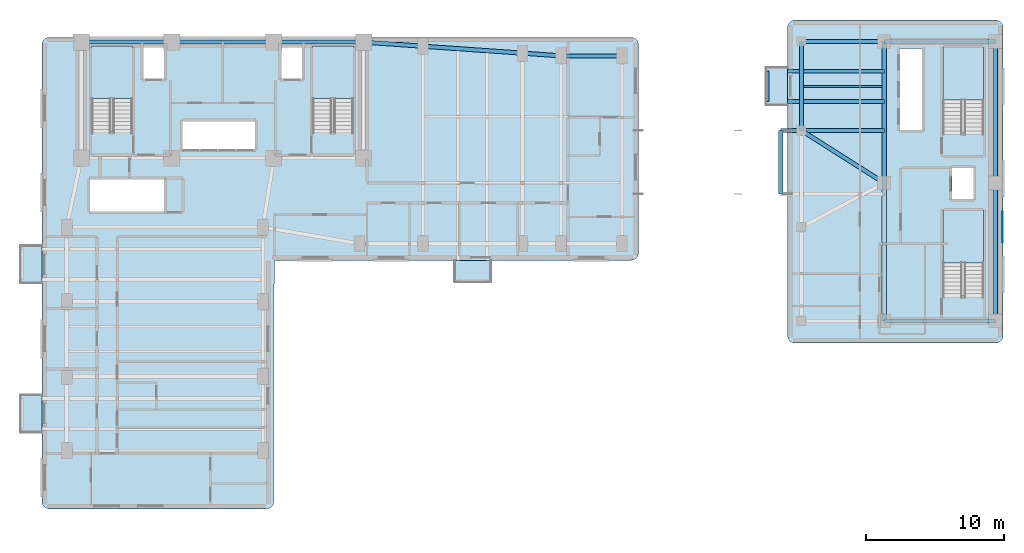
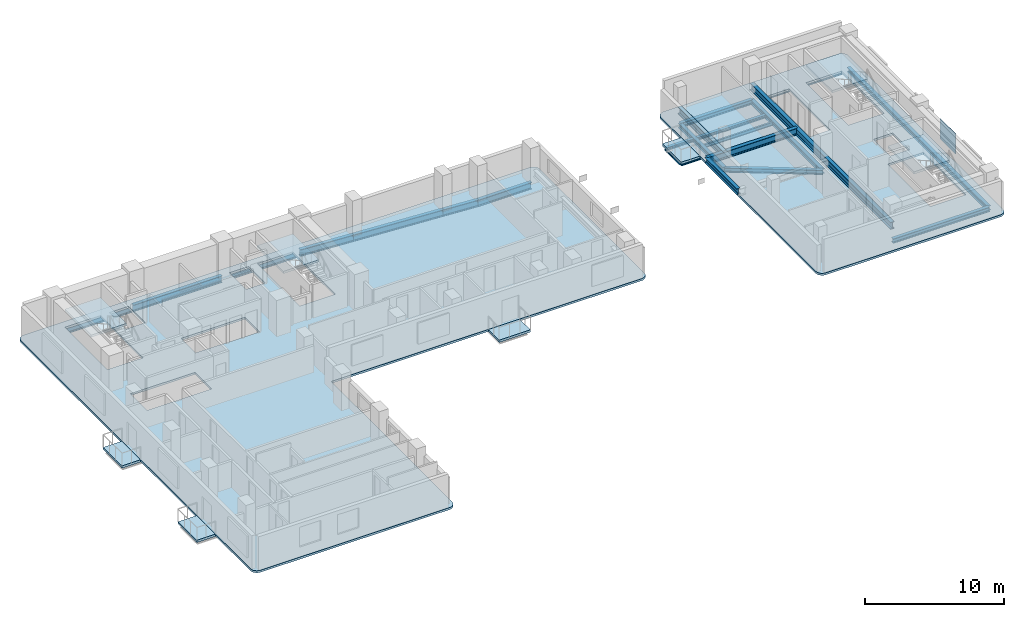
# One storey, part 2 of 11: 23 beams, 10 slabs, 1 plate, 4 elements without a shape of their own.
"""IFC4 building model written with IfcOpenShell, lengths in metres."""

import ifcopenshell
import ifcopenshell.guid

model = None  # the IFC model being written
_history = None  # IfcOwnerHistory: only IFC2X3 demands one
_inside = {}  # id of a spatial element -> (the spatial element, [elements in it])
_under = {}  # id of a project, library or spatial element -> (it, [spatial elements below it])
_declared = {}  # id of a project -> (the project, [libraries it declares])
_typed = {}  # id of a type object -> (the type object, [elements of that type])
_made_of = {}  # id of a material, layer set ... -> (it, [elements and type objects made of it])


def new_model(schema):
    """Start an empty IFC model of exactly this schema.

    Asked for "IFC4X3", IfcOpenShell would pick the latest addendum, in which some entities
    have other attributes; the version numbers below select the first issue.
    IFC2X3 requires an IfcOwnerHistory on every rooted entity: one is made here for all.
    """
    global model, _history
    if schema == "IFC4X3":
        model = ifcopenshell.file(schema_version=(4, 3, 0, 0))
    else:
        model = ifcopenshell.file(schema=schema)
    _inside.clear()
    _under.clear()
    _declared.clear()
    _typed.clear()
    _made_of.clear()
    _history = None
    if model.schema == "IFC2X3":
        org = make("IfcOrganization", Name="unknown")
        user = make(
            "IfcPersonAndOrganization",
            ThePerson=make("IfcPerson", FamilyName="unknown"),
            TheOrganization=org,
        )
        app = make(
            "IfcApplication",
            ApplicationDeveloper=org,
            Version="unknown",
            ApplicationFullName="unknown",
            ApplicationIdentifier="unknown",
        )
        _history = make(
            "IfcOwnerHistory",
            OwningUser=user,
            OwningApplication=app,
            ChangeAction="ADDED",
            CreationDate=0,
        )
    return model


def make(cls, **values):
    """One entity of the class cls with the attributes given. An attribute that is None is left unset."""
    return model.create_entity(
        cls, **{name: value for name, value in values.items() if value is not None}
    )


def rooted(cls, **values):
    """An entity with a GlobalId (a new one), such as an element, a storey or a relation."""
    return make(cls, GlobalId=ifcopenshell.guid.new(), OwnerHistory=_history, **values)


def si_unit(unit_type, name, prefix=None):
    """IfcSIUnit, for example si_unit("LENGTHUNIT", "METRE", prefix="MILLI")."""
    return make("IfcSIUnit", UnitType=unit_type, Prefix=prefix, Name=name)


def assignment(units):
    """IfcUnitAssignment: the units of a project."""
    return None if units is None else make("IfcUnitAssignment", Units=units)


def point(xyz):
    """IfcCartesianPoint."""
    return None if xyz is None else make("IfcCartesianPoint", Coordinates=xyz)


def direction(xyz):
    """IfcDirection."""
    return None if xyz is None else make("IfcDirection", DirectionRatios=xyz)


def frame(location, z_axis=None, x_axis=None):
    """IfcAxis2Placement3D, a coordinate frame: its origin and axes. An axis left out is left unset."""
    return make(
        "IfcAxis2Placement3D",
        Location=point(location),
        Axis=direction(z_axis),
        RefDirection=direction(x_axis),
    )


def frame_2d(location, x_axis=None):
    """IfcAxis2Placement2D, a coordinate frame in the plane: its origin and x axis."""
    return make(
        "IfcAxis2Placement2D", Location=point(location), RefDirection=direction(x_axis)
    )


def origin():
    """The frame at (0, 0, 0) with its axes left unset."""
    return frame((0.0, 0.0, 0.0))


def origin_2d():
    """The frame at (0, 0) in the plane with its x axis left unset."""
    return frame_2d((0.0, 0.0))


def place(relative_to, where):
    """IfcLocalPlacement: puts the frame where relative to a parent placement (None: the world)."""
    return make(
        "IfcLocalPlacement", PlacementRelTo=relative_to, RelativePlacement=where
    )


def context(
    kind, dimensions, precision=None, world=None, true_north=None, identifier=None
):
    """IfcGeometricRepresentationContext, for example the 3D "Model" context."""
    return make(
        "IfcGeometricRepresentationContext",
        ContextIdentifier=identifier,
        ContextType=kind,
        CoordinateSpaceDimension=dimensions,
        Precision=precision,
        WorldCoordinateSystem=world,
        TrueNorth=true_north,
    )


def subcontext(parent, identifier, kind, view, scale=None):
    """IfcGeometricRepresentationSubContext, for example "Body" below "Model"."""
    return make(
        "IfcGeometricRepresentationSubContext",
        ContextIdentifier=identifier,
        ContextType=kind,
        ParentContext=parent,
        TargetScale=scale,
        TargetView=view,
    )


def project(units=None, contexts=None):
    """IfcProject with its units and contexts."""
    return rooted(
        "IfcProject",
        Name="project",
        RepresentationContexts=contexts,
        UnitsInContext=assignment(units),
    )


def spatial(cls, under=None, at=None, **own):
    """A site, building, storey or space (cls), placed at a placement, below another one or the project."""
    s = rooted(cls, ObjectPlacement=at, **own)
    if under is not None:
        _under.setdefault(under.id(), (under, []))[1].append(s)
    return s


def polyline(points):
    """IfcPolyline through the points."""
    return make("IfcPolyline", Points=[point(p) for p in points])


def profile(cls, at=None, kind="AREA", **sizes):
    """A parametric profile (cls). Its sizes go by their IFC names, for example OverallWidth=200.0."""
    return make(cls, ProfileType=kind, Position=at, **sizes)


def rectangle(**sizes):
    """IfcRectangleProfileDef."""
    return profile("IfcRectangleProfileDef", **sizes)


def i_section(**sizes):
    """IfcIShapeProfileDef."""
    return profile("IfcIShapeProfileDef", **sizes)


def outline(outer, holes=None, kind="AREA"):
    """IfcArbitraryClosedProfileDef: a profile drawn as a closed curve; with holes, ...WithVoids."""
    if holes is None:
        return make("IfcArbitraryClosedProfileDef", ProfileType=kind, OuterCurve=outer)
    return make(
        "IfcArbitraryProfileDefWithVoids",
        ProfileType=kind,
        OuterCurve=outer,
        InnerCurves=holes,
    )


def extrude(swept, where, along, depth):
    """IfcExtrudedAreaSolid: the profile swept, set in the frame where, extruded along a direction by depth."""
    return make(
        "IfcExtrudedAreaSolid",
        SweptArea=swept,
        Position=where,
        ExtrudedDirection=direction(along),
        Depth=depth,
    )


def shape(context_of_items, identifier, shape_type, items):
    """IfcShapeRepresentation: the items that make up one representation, for example the "Body"."""
    return make(
        "IfcShapeRepresentation",
        ContextOfItems=context_of_items,
        RepresentationIdentifier=identifier,
        RepresentationType=shape_type,
        Items=items,
    )


def material(Name=None, Category=None):
    """IfcMaterial."""
    return make("IfcMaterial", Name=Name, Category=Category)


def layer(
    of_material, thickness, ventilated=None, Name=None, Category=None, Priority=None
):
    """IfcMaterialLayer: one layer of a wall or slab, of a material (None: an air gap)."""
    return make(
        "IfcMaterialLayer",
        Material=of_material,
        LayerThickness=thickness,
        IsVentilated=ventilated,
        Name=Name,
        Category=Category,
        Priority=Priority,
    )


def layer_set(layers, Name=None):
    """IfcMaterialLayerSet."""
    return make("IfcMaterialLayerSet", MaterialLayers=layers, LayerSetName=Name)


def material_profile(
    of_material, cross_section, Name=None, Category=None, Priority=None
):
    """IfcMaterialProfile: a cross section and its material."""
    return make(
        "IfcMaterialProfile",
        Name=Name,
        Material=of_material,
        Profile=cross_section,
        Priority=Priority,
        Category=Category,
    )


def profile_set(profiles, Name=None, composite=None):
    """IfcMaterialProfileSet."""
    return make(
        "IfcMaterialProfileSet",
        Name=Name,
        MaterialProfiles=profiles,
        CompositeProfile=composite,
    )


def made_of(thing, what):
    """Note that an element or type object is made of a material, layer set ...; save() writes the relation."""
    if what is not None:
        _made_of.setdefault(what.id(), (what, []))[1].append(thing)
    return thing


def type_object(cls, material=None, **own):
    """A type object (cls), such as IfcWallType, which elements share."""
    return made_of(rooted(cls, **own), material)


def element(
    cls,
    number,
    at=None,
    inside=None,
    cuts=None,
    type_object=None,
    material=None,
    context=None,
    identifier="Body",
    shape_type=None,
    held_by="IfcProductDefinitionShape",
    body=None,
    shapes=None,
    **own,
):
    """One element of the class cls, such as IfcWall. Its Tag is "e" and its number.

    at: its placement. inside: the storey or other place that contains it. cuts: it is an
    opening in that element (IfcRelVoidsElement). A single representation is given by context,
    identifier, shape_type and body (its items); several are given by shapes. held_by: the class
    of the entity that holds the representations. save() writes the other relations.
    """
    e = rooted(cls, Tag="e%d" % number, ObjectPlacement=at, **own)
    if body is not None:
        shapes = [shape(context, identifier, shape_type, body)]
    if shapes is not None:
        e.Representation = make(held_by, Representations=shapes)
    if inside is not None:
        _inside.setdefault(inside.id(), (inside, []))[1].append(e)
    if cuts is not None:
        rooted(
            "IfcRelVoidsElement", RelatingBuildingElement=cuts, RelatedOpeningElement=e
        )
    if type_object is not None:
        _typed.setdefault(type_object.id(), (type_object, []))[1].append(e)
    return made_of(e, material)


def aggregate(whole, parts):
    """IfcRelAggregates: a whole, such as a stair, and the parts it consists of."""
    return rooted("IfcRelAggregates", RelatingObject=whole, RelatedObjects=parts)


def save(model, path):
    """Write the relations noted so far, then the file.

    IfcRelAggregates (storeys below a building ...), IfcRelContainedInSpatialStructure (elements
    in a storey), IfcRelDefinesByType, IfcRelAssociatesMaterial and IfcRelDeclares: one each for
    every whole, place, type object, material and project.
    """
    for whole, parts in _under.values():
        aggregate(whole, parts)
    for where, things in _inside.values():
        rooted(
            "IfcRelContainedInSpatialStructure",
            RelatedElements=things,
            RelatingStructure=where,
        )
    for kind, things in _typed.values():
        rooted("IfcRelDefinesByType", RelatedObjects=things, RelatingType=kind)
    for what, things in _made_of.values():
        rooted("IfcRelAssociatesMaterial", RelatedObjects=things, RelatingMaterial=what)
    for by, libraries in _declared.values():
        rooted("IfcRelDeclares", RelatingContext=by, RelatedDefinitions=libraries)
    model.write(path)


model = new_model("IFC4")

# Units and contexts
model_context = context("Model", 3, precision=1e-05, world=origin(), true_north=direction((0.0, 1.0)))
body_context = subcontext(model_context, "Body", "Model", "MODEL_VIEW")
ifc_project = project(units=[si_unit("LENGTHUNIT", "METRE"), si_unit("AREAUNIT", "SQUARE_METRE"), si_unit("VOLUMEUNIT", "CUBIC_METRE"), si_unit("PLANEANGLEUNIT", "RADIAN"), si_unit("MASSUNIT", "GRAM", prefix="KILO")], contexts=[model_context])

# Site, building, storey
site_placement = place(None, origin())
site = spatial("IfcSite", under=ifc_project, at=site_placement, CompositionType="ELEMENT")
building_placement = place(site_placement, origin())
building = spatial("IfcBuilding", under=site, at=building_placement, Name="Kuzgunbayir Cultural Tower", CompositionType="ELEMENT")
storey_placement = place(building_placement, frame((0.0, 0.0, 99.39990234375)))
storey = spatial("IfcBuildingStorey", under=building, at=storey_placement, Name="L28", CompositionType="ELEMENT", Elevation=99.39990234375)

# Beams
ifc_material_1 = material(Name="Steel S355J2", Category="steel")
ifc_material_profile_1 = material_profile(ifc_material_1, i_section(OverallWidth=0.260009765625, OverallDepth=0.260009765625, WebThickness=0.010009765625, FlangeThickness=0.017578125, FilletRadius=0.02392578125, at=origin_2d()), Name="HEB 260")
ifc_profile_set_1 = profile_set([ifc_material_profile_1], Name="Steel S355J2")
beam_type_1 = type_object("IfcBeamType", Name="BM-BAL-HEB260", PredefinedType="BEAM", material=ifc_profile_set_1)
for number, where, z_axis, x_axis, name in (
    (1, (56.159912109375, 37.89990234375, -0.329833984375), (1.0, 0.0, 0.0), (0.0, 1.0, 0.0), "L28 Companion Balcony Outrigger BAL-L28-T2W3.1"),
    (2, (56.159912109375, 40.10009765625, -0.329833984375), (1.0, 0.0, 0.0), (0.0, 1.0, 0.0), "L28 Companion Balcony Outrigger BAL-L28-T2W3.2"),
):
    element("IfcBeam", number, at=place(storey_placement, frame(where, z_axis=z_axis, x_axis=x_axis)), inside=storey, type_object=beam_type_1, Name=name, PredefinedType="BEAM", context=body_context, shape_type="SweptSolid", body=[
        extrude(i_section(OverallWidth=0.260009765625, OverallDepth=0.260009765625, WebThickness=0.010009765625, FlangeThickness=0.017578125, FilletRadius=0.02392578125, at=origin_2d()), origin(), (0.0, 0.0, 1.0), 8.440185546875),
    ])
ifc_material_profile_2 = material_profile(ifc_material_1, i_section(OverallWidth=0.199951171875, OverallDepth=0.199951171875, WebThickness=0.009033203125, FlangeThickness=0.014892578125, FilletRadius=0.01806640625, at=origin_2d()), Name="HEB 200")
ifc_profile_set_2 = profile_set([ifc_material_profile_2], Name="Steel S355J2")
beam_type_2 = type_object("IfcBeamType", Name="BM-CAN-HEB200", PredefinedType="BEAM", material=ifc_profile_set_2)
beam_1_placement = place(storey_placement, frame((56.159912109375, 37.89990234375, -0.2998046875), z_axis=(0.0, 1.0, 0.0), x_axis=(-1.0, 0.0, 0.0)))
element("IfcBeam", 3, at=beam_1_placement, inside=storey, type_object=beam_type_2, Name="L28 Companion Balcony Header BAL-L28-T2W3", PredefinedType="BEAM", context=body_context, shape_type="SweptSolid", body=[
    extrude(i_section(OverallWidth=0.199951171875, OverallDepth=0.199951171875, WebThickness=0.009033203125, FlangeThickness=0.014892578125, FilletRadius=0.01806640625, at=origin_2d()), origin(), (0.0, 0.0, 1.0), 2.2001953125),
])
ifc_material_profile_3 = material_profile(ifc_material_1, i_section(OverallWidth=0.300048828125, OverallDepth=0.39990234375, WebThickness=0.013427734375, FlangeThickness=0.02392578125, FilletRadius=0.027099609375, at=origin_2d()), Name="HEB 400")
ifc_profile_set_3 = profile_set([ifc_material_profile_3], Name="Steel S355J2")
beam_type_3 = type_object("IfcBeamType", Name="BM-EXT-HEB400", PredefinedType="BEAM", material=ifc_profile_set_3)
beam_2_placement = place(storey_placement, frame((58.60009765625, 35.800048828125, -0.3798828125), z_axis=(0.0, 1.0, 0.0), x_axis=(-1.0, 0.0, 0.0)))
element("IfcBeam", 4, at=beam_2_placement, inside=storey, type_object=beam_type_3, Name="L28 Companion West Girder", PredefinedType="BEAM", context=body_context, shape_type="SweptSolid", body=[
    extrude(i_section(OverallWidth=0.300048828125, OverallDepth=0.39990234375, WebThickness=0.013427734375, FlangeThickness=0.02392578125, FilletRadius=0.027099609375, at=origin_2d()), origin(), (0.0, 0.0, 1.0), 6.449951171875),
])
ifc_material_profile_4 = material_profile(ifc_material_1, i_section(OverallWidth=0.300048828125, OverallDepth=0.5, WebThickness=0.014404296875, FlangeThickness=0.028076171875, FilletRadius=0.027099609375, at=origin_2d()), Name="HEB 500")
ifc_profile_set_4 = profile_set([ifc_material_profile_4], Name="Steel S355J2")
beam_type_4 = type_object("IfcBeamType", Name="BM-EXT-HEB500", PredefinedType="BEAM", material=ifc_profile_set_4)
beam_3_placement = place(storey_placement, frame((57.10009765625, 31.199951171875, 0.989990234375), z_axis=(0.0, 1.0, 0.0), x_axis=(-1.0, 0.0, 0.0)))
element("IfcBeam", 5, at=beam_3_placement, inside=storey, type_object=beam_type_4, Name="L29 Skybridge East Corbel Edge Trimmer", PredefinedType="BEAM", context=body_context, shape_type="SweptSolid", body=[
    extrude(i_section(OverallWidth=0.300048828125, OverallDepth=0.5, WebThickness=0.014404296875, FlangeThickness=0.028076171875, FilletRadius=0.027099609375, at=origin_2d()), origin(), (0.0, 0.0, 1.0), 4.60009765625),
])
ifc_material_profile_5 = material_profile(ifc_material_1, i_section(OverallWidth=0.300048828125, OverallDepth=0.60009765625, WebThickness=0.015380859375, FlangeThickness=0.030029296875, FilletRadius=0.027099609375, at=origin_2d()), Name="HEB 600")
ifc_profile_set_5 = profile_set([ifc_material_profile_5], Name="Steel S355J2")
beam_type_5 = type_object("IfcBeamType", Name="BM-EXT-HEB600", PredefinedType="BEAM", material=ifc_profile_set_5)
beam_4_placement = place(storey_placement, frame((26.89990234375, 42.199951171875, -0.47998046875), z_axis=(0.997574369175, -0.069608749203, 0.0), x_axis=(0.069608749203, 0.997574369175, 0.0)))
element("IfcBeam", 6, at=beam_4_placement, inside=storey, type_object=beam_type_5, Name="L28 Wing B North Girder 1", PredefinedType="BEAM", context=body_context, shape_type="SweptSolid", body=[
    extrude(i_section(OverallWidth=0.300048828125, OverallDepth=0.60009765625, WebThickness=0.015380859375, FlangeThickness=0.030029296875, FilletRadius=0.027099609375, at=origin_2d()), origin(), (0.0, 0.0, 1.0), 4.310546875),
])
beam_5_placement = place(storey_placement, frame((31.199951171875, 41.89990234375, -0.47998046875), z_axis=(0.997597388498, -0.069278066245, 0.0), x_axis=(0.069278066245, 0.997597388498, 0.0)))
element("IfcBeam", 7, at=beam_5_placement, inside=storey, type_object=beam_type_5, Name="L28 Wing B North Girder 2", PredefinedType="BEAM", context=body_context, shape_type="SweptSolid", body=[
    extrude(i_section(OverallWidth=0.300048828125, OverallDepth=0.60009765625, WebThickness=0.015380859375, FlangeThickness=0.030029296875, FilletRadius=0.027099609375, at=origin_2d()), origin(), (0.0, 0.0, 1.0), 7.21728515625),
])
beam_6_placement = place(storey_placement, frame((38.39990234375, 41.39990234375, -0.47998046875), z_axis=(0.997460024076, -0.071228508128, 0.0), x_axis=(0.071228508128, 0.997460024076, 0.0)))
element("IfcBeam", 8, at=beam_6_placement, inside=storey, type_object=beam_type_5, Name="L28 Wing B North Girder 3", PredefinedType="BEAM", context=body_context, shape_type="SweptSolid", body=[
    extrude(i_section(OverallWidth=0.300048828125, OverallDepth=0.60009765625, WebThickness=0.015380859375, FlangeThickness=0.030029296875, FilletRadius=0.027099609375, at=origin_2d()), origin(), (0.0, 0.0, 1.0), 2.80712890625),
])
beam_7_placement = place(storey_placement, frame((41.199951171875, 41.199951171875, -0.47998046875), z_axis=(1.0, 0.0, 0.0), x_axis=(0.0, 1.0, 0.0)))
element("IfcBeam", 9, at=beam_7_placement, inside=storey, type_object=beam_type_5, Name="L28 Wing B North Girder 4", PredefinedType="BEAM", context=body_context, shape_type="SweptSolid", body=[
    extrude(i_section(OverallWidth=0.300048828125, OverallDepth=0.60009765625, WebThickness=0.015380859375, FlangeThickness=0.030029296875, FilletRadius=0.027099609375, at=origin_2d()), origin(), (0.0, 0.0, 1.0), 4.400146484375),
])
beam_8_placement = place(storey_placement, frame((58.60009765625, 35.800048828125, 0.940185546875), z_axis=(0.0, 1.0, 0.0), x_axis=(-1.0, 0.0, 0.0)))
element("IfcBeam", 10, at=beam_8_placement, inside=storey, type_object=beam_type_5, Name="L29 East Skybridge Corbel Seat Header North", PredefinedType="BEAM", context=body_context, shape_type="SweptSolid", body=[
    extrude(i_section(OverallWidth=0.300048828125, OverallDepth=0.60009765625, WebThickness=0.015380859375, FlangeThickness=0.030029296875, FilletRadius=0.027099609375, at=origin_2d()), origin(), (0.0, 0.0, 1.0), 6.449951171875),
])
beam_9_placement = place(storey_placement, frame((57.10009765625, 35.800048828125, 0.940185546875), z_axis=(1.0, 0.0, 0.0), x_axis=(0.0, 1.0, 0.0)))
element("IfcBeam", 11, at=beam_9_placement, inside=storey, type_object=beam_type_5, Name="L29 Skybridge East 1500mm Corbel Seat N", PredefinedType="BEAM", context=body_context, shape_type="SweptSolid", body=[
    extrude(i_section(OverallWidth=0.300048828125, OverallDepth=0.60009765625, WebThickness=0.015380859375, FlangeThickness=0.030029296875, FilletRadius=0.027099609375, at=origin_2d()), origin(), (0.0, 0.0, 1.0), 7.5),
])
ifc_material_profile_6 = material_profile(ifc_material_1, i_section(OverallWidth=0.300048828125, OverallDepth=0.39990234375, WebThickness=0.013427734375, FlangeThickness=0.02392578125, FilletRadius=0.027099609375, at=origin_2d()), Name="HEB 400")
ifc_profile_set_6 = profile_set([ifc_material_profile_6], Name="Steel S355J2")
beam_type_6 = type_object("IfcBeamType", Name="BM-GIR-HEB400", PredefinedType="BEAM", material=ifc_profile_set_6)
beam_10_placement = place(storey_placement, frame((58.60009765625, 35.800048828125, -0.3798828125), z_axis=(0.844815967829, -0.535056988088, 0.0), x_axis=(0.535056988088, 0.844815967829, 0.0)))
element("IfcBeam", 12, at=beam_10_placement, inside=storey, type_object=beam_type_6, Name="L28 Companion Transverse Girder 3", PredefinedType="BEAM", context=body_context, shape_type="SweptSolid", body=[
    extrude(i_section(OverallWidth=0.300048828125, OverallDepth=0.39990234375, WebThickness=0.013427734375, FlangeThickness=0.02392578125, FilletRadius=0.027099609375, at=origin_2d()), origin(), (0.0, 0.0, 1.0), 7.10205078125),
])
beam_11_placement = place(storey_placement, frame((58.60009765625, 42.25, -0.3798828125), z_axis=(1.0, 0.0, 0.0), x_axis=(0.0, 1.0, 0.0)))
element("IfcBeam", 13, at=beam_11_placement, inside=storey, type_object=beam_type_6, Name="L28 Companion Transverse Girder 4", PredefinedType="BEAM", context=body_context, shape_type="SweptSolid", body=[
    extrude(i_section(OverallWidth=0.300048828125, OverallDepth=0.39990234375, WebThickness=0.013427734375, FlangeThickness=0.02392578125, FilletRadius=0.027099609375, at=origin_2d()), origin(), (0.0, 0.0, 1.0), 6.0),
])
beam_12_placement = place(storey_placement, frame((64.60009765625, 32.0, -0.3798828125), z_axis=(0.0, 1.0, 0.0), x_axis=(-1.0, 0.0, 0.0)))
element("IfcBeam", 14, at=beam_12_placement, inside=storey, type_object=beam_type_6, Name="L28 Companion Core West Girder 2", PredefinedType="BEAM", context=body_context, shape_type="SweptSolid", body=[
    extrude(i_section(OverallWidth=0.300048828125, OverallDepth=0.39990234375, WebThickness=0.013427734375, FlangeThickness=0.02392578125, FilletRadius=0.027099609375, at=origin_2d()), origin(), (0.0, 0.0, 1.0), 10.25),
])
beam_13_placement = place(storey_placement, frame((72.64990234375, 22.0, -0.3798828125), z_axis=(0.0, 1.0, 0.0), x_axis=(-1.0, 0.0, 0.0)))
element("IfcBeam", 15, at=beam_13_placement, inside=storey, type_object=beam_type_6, Name="L28 Companion Core East Girder 1", PredefinedType="BEAM", context=body_context, shape_type="SweptSolid", body=[
    extrude(i_section(OverallWidth=0.300048828125, OverallDepth=0.39990234375, WebThickness=0.013427734375, FlangeThickness=0.02392578125, FilletRadius=0.027099609375, at=origin_2d()), origin(), (0.0, 0.0, 1.0), 10.0),
])
beam_14_placement = place(storey_placement, frame((72.64990234375, 32.0, -0.3798828125), z_axis=(0.0, 1.0, 0.0), x_axis=(-1.0, 0.0, 0.0)))
element("IfcBeam", 16, at=beam_14_placement, inside=storey, type_object=beam_type_6, Name="L28 Companion Core East Girder 2", PredefinedType="BEAM", context=body_context, shape_type="SweptSolid", body=[
    extrude(i_section(OverallWidth=0.300048828125, OverallDepth=0.39990234375, WebThickness=0.013427734375, FlangeThickness=0.02392578125, FilletRadius=0.027099609375, at=origin_2d()), origin(), (0.0, 0.0, 1.0), 10.25),
])
for number, where, z_axis, x_axis, name in (
    (17, (64.60009765625, 22.0, -0.3798828125), (1.0, 0.0, 0.0), (0.0, 1.0, 0.0), "L28 Companion Core South Girder"),
    (18, (64.60009765625, 42.25, -0.3798828125), (1.0, 0.0, 0.0), (0.0, 1.0, 0.0), "L28 Companion Core North Girder"),
):
    element("IfcBeam", number, at=place(storey_placement, frame(where, z_axis=z_axis, x_axis=x_axis)), inside=storey, type_object=beam_type_6, Name=name, PredefinedType="BEAM", context=body_context, shape_type="SweptSolid", body=[
        extrude(i_section(OverallWidth=0.300048828125, OverallDepth=0.39990234375, WebThickness=0.013427734375, FlangeThickness=0.02392578125, FilletRadius=0.027099609375, at=origin_2d()), origin(), (0.0, 0.0, 1.0), 8.0498046875),
    ])
ifc_material_profile_7 = material_profile(ifc_material_1, i_section(OverallWidth=0.300048828125, OverallDepth=0.60009765625, WebThickness=0.015380859375, FlangeThickness=0.030029296875, FilletRadius=0.027099609375, at=origin_2d()), Name="HEB 600")
ifc_profile_set_7 = profile_set([ifc_material_profile_7], Name="Steel S355J2")
beam_type_7 = type_object("IfcBeamType", Name="BM-GIR-HEB600", PredefinedType="BEAM", material=ifc_profile_set_7)
beam_15_placement = place(storey_placement, frame((6.449951171875, 42.199951171875, -0.47998046875), z_axis=(1.0, 0.0, 0.0), x_axis=(0.0, 1.0, 0.0)))
element("IfcBeam", 19, at=beam_15_placement, inside=storey, type_object=beam_type_7, Name="L28 Core North Girder 1", PredefinedType="BEAM", context=body_context, shape_type="SweptSolid", body=[
    extrude(i_section(OverallWidth=0.300048828125, OverallDepth=0.60009765625, WebThickness=0.015380859375, FlangeThickness=0.030029296875, FilletRadius=0.027099609375, at=origin_2d()), origin(), (0.0, 0.0, 1.0), 6.550048828125),
])
beam_16_placement = place(storey_placement, frame((13.0, 42.199951171875, -0.47998046875), z_axis=(1.0, 0.0, 0.0), x_axis=(0.0, 1.0, 0.0)))
element("IfcBeam", 20, at=beam_16_placement, inside=storey, type_object=beam_type_7, Name="L28 Core North Girder 2", PredefinedType="BEAM", context=body_context, shape_type="SweptSolid", body=[
    extrude(i_section(OverallWidth=0.300048828125, OverallDepth=0.60009765625, WebThickness=0.015380859375, FlangeThickness=0.030029296875, FilletRadius=0.027099609375, at=origin_2d()), origin(), (0.0, 0.0, 1.0), 7.39990234375),
])
beam_17_placement = place(storey_placement, frame((20.39990234375, 42.199951171875, -0.47998046875), z_axis=(1.0, 0.0, 0.0), x_axis=(0.0, 1.0, 0.0)))
element("IfcBeam", 21, at=beam_17_placement, inside=storey, type_object=beam_type_7, Name="L28 Core North Girder 3", PredefinedType="BEAM", context=body_context, shape_type="SweptSolid", body=[
    extrude(i_section(OverallWidth=0.300048828125, OverallDepth=0.60009765625, WebThickness=0.015380859375, FlangeThickness=0.030029296875, FilletRadius=0.027099609375, at=origin_2d()), origin(), (0.0, 0.0, 1.0), 6.5),
])
beam_18_placement = place(storey_placement, frame((64.60009765625, 22.0, 0.940185546875), z_axis=(0.0, 1.0, 0.0), x_axis=(-1.0, 0.0, 0.0)))
element("IfcBeam", 22, at=beam_18_placement, inside=storey, type_object=beam_type_7, Name="L29 East Skybridge Corbel Back-Span Girder", PredefinedType="BEAM", context=body_context, shape_type="SweptSolid", body=[
    extrude(i_section(OverallWidth=0.300048828125, OverallDepth=0.60009765625, WebThickness=0.015380859375, FlangeThickness=0.030029296875, FilletRadius=0.027099609375, at=origin_2d()), origin(), (0.0, 0.0, 1.0), 20.25),
])
ifc_material_profile_8 = material_profile(ifc_material_1, i_section(OverallWidth=0.14990234375, OverallDepth=0.300048828125, WebThickness=0.007080078125, FlangeThickness=0.0107421875, FilletRadius=0.014892578125, at=origin_2d()), Name="IPE 300")
ifc_profile_set_8 = profile_set([ifc_material_profile_8], Name="Steel S355J2")
beam_type_8 = type_object("IfcBeamType", Name="BM-JST-IPE300", PredefinedType="JOIST", material=ifc_profile_set_8)
beam_19_placement = place(storey_placement, frame((58.75, 39.0, -0.329833984375), z_axis=(1.0, 0.0, 0.0), x_axis=(0.0, 1.0, 0.0)))
element("IfcBeam", 23, at=beam_19_placement, inside=storey, type_object=beam_type_8, Name="L28 Companion Joist", PredefinedType="JOIST", context=body_context, shape_type="SweptSolid", body=[
    extrude(i_section(OverallWidth=0.14990234375, OverallDepth=0.300048828125, WebThickness=0.007080078125, FlangeThickness=0.0107421875, FilletRadius=0.014892578125, at=origin_2d()), origin(), (0.0, 0.0, 1.0), 5.699951171875),
])

# Plate
ifc_material_2 = material(Name="Perforated Bronze-Anodised Aluminium", Category="aluminium")
ifc_layer_1 = layer(ifc_material_2, 0.02392578125)
ifc_layer_set_1 = layer_set([ifc_layer_1], Name="Perforated Bronze-Anodised Aluminium")
plate_type = type_object("IfcPlateType", Name="PLT-SOLAR-SCREEN-14", PredefinedType="SHEET", material=ifc_layer_set_1)
plate_placement = place(storey_placement, frame((73.159912109375, 28.800048828125, 0.75), z_axis=(0.0, 0.0, 1.0), x_axis=(1.0, 0.0, 0.0)))
element("IfcPlate", 24, at=plate_placement, inside=storey, type_object=plate_type, Name="L28 Companion Perforated Ceramic Solar Screen Panel", PredefinedType="SHEET", context=body_context, shape_type="SweptSolid", body=[
    extrude(rectangle(XDim=0.02392578125, YDim=2.199951171875, at=origin_2d()), origin(), (0.0, 0.0, 1.0), 1.800048828125),
])

# Slabs
ifc_material_3 = material(Name="Concrete C40/50", Category="concrete")
ifc_layer_2 = layer(ifc_material_3, 0.199951171875)
ifc_layer_set_2 = layer_set([ifc_layer_2], Name="Concrete C40/50")
slab_type_1 = type_object("IfcSlabType", Name="SLB-BAL-STONE", PredefinedType="FLOOR", material=ifc_layer_set_2)
slab_1_placement = place(storey_placement, frame((0.0, 0.0, -0.199951171875)))
element("IfcSlab", 25, at=slab_1_placement, inside=storey, type_object=slab_type_1, Name="L28 Projecting Limestone Balcony BAL-L28-WA1", PredefinedType="FLOOR", context=body_context, shape_type="SweptSolid", body=[
    extrude(outline(polyline([(2.0400390625, 13.949951171875), (3.60009765625, 13.949951171875), (3.60009765625, 16.64990234375), (2.0400390625, 16.64990234375), (2.0400390625, 13.949951171875)])), origin(), (0.0, 0.0, 1.0), 0.199951171875),
])
slab_2_placement = place(storey_placement, frame((0.0, 0.0, -0.199951171875)))
element("IfcSlab", 26, at=slab_2_placement, inside=storey, type_object=slab_type_1, Name="L28 Projecting Limestone Balcony BAL-L28-WA3", PredefinedType="FLOOR", context=body_context, shape_type="SweptSolid", body=[
    extrude(outline(polyline([(2.0400390625, 24.75), (3.60009765625, 24.75), (3.60009765625, 27.449951171875), (2.0400390625, 27.449951171875), (2.0400390625, 24.75)])), origin(), (0.0, 0.0, 1.0), 0.199951171875),
])
slab_3_placement = place(storey_placement, frame((0.0, 0.0, -0.199951171875)))
element("IfcSlab", 27, at=slab_3_placement, inside=storey, type_object=slab_type_1, Name="L28 Projecting Limestone Balcony BAL-L28-WB2", PredefinedType="FLOOR", context=body_context, shape_type="SweptSolid", body=[
    extrude(outline(polyline([(33.5, 24.840087890625), (36.10009765625, 24.840087890625), (36.10009765625, 26.39990234375), (33.5, 26.39990234375), (33.5, 24.840087890625)])), origin(), (0.0, 0.0, 1.0), 0.199951171875),
])
slab_4_placement = place(storey_placement, frame((0.0, 0.0, -0.199951171875)))
element("IfcSlab", 28, at=slab_4_placement, inside=storey, type_object=slab_type_1, Name="L28 Projecting Limestone Balcony BAL-L28-T2W3", PredefinedType="FLOOR", context=body_context, shape_type="SweptSolid", body=[
    extrude(outline(polyline([(56.0400390625, 37.64990234375), (57.60009765625, 37.64990234375), (57.60009765625, 40.35009765625), (56.0400390625, 40.35009765625), (56.0400390625, 37.64990234375)])), origin(), (0.0, 0.0, 1.0), 0.199951171875),
])

# Stair, slab
stair_type = type_object("IfcStairType", Name="STR-EXIT-CORE", PredefinedType="HALF_TURN_STAIR", material=ifc_material_3)
stair_1_placement = place(storey_placement, origin())
stair_1 = element("IfcStair", 29, at=stair_1_placement, inside=storey, type_object=stair_type, Name="L28 ST-1", PredefinedType="HALF_TURN_STAIR")
ifc_layer_3 = layer(ifc_material_3, 0.179931640625)
ifc_layer_set_3 = layer_set([ifc_layer_3], Name="Concrete C40/50")
slab_type_2 = type_object("IfcSlabType", Name="SLB-LANDING-180", PredefinedType="LANDING", material=ifc_layer_set_3)
slab_5_placement = place(storey_placement, frame((0.0, 0.0, 1.400146484375)))
slab_5 = element("IfcSlab", 30, at=slab_5_placement, type_object=slab_type_2, Name="ST-1 landing 1", PredefinedType="LANDING", context=body_context, shape_type="SweptSolid", body=[
    extrude(outline(polyline([(10.159912109375, 38.1201171875), (10.159912109375, 41.89990234375), (7.199951171875, 41.89990234375), (7.199951171875, 38.1201171875), (10.159912109375, 38.1201171875)])), origin(), (0.0, 0.0, 1.0), 0.199951171875),
])
aggregate(stair_1, [slab_5])

stair_2_placement = place(storey_placement, origin())
stair_2 = element("IfcStair", 31, at=stair_2_placement, inside=storey, type_object=stair_type, Name="L28 ST-2", PredefinedType="HALF_TURN_STAIR")
slab_6_placement = place(storey_placement, frame((0.0, 0.0, 1.400146484375)))
slab_6 = element("IfcSlab", 32, at=slab_6_placement, type_object=slab_type_2, Name="ST-2 landing 1", PredefinedType="LANDING", context=body_context, shape_type="SweptSolid", body=[
    extrude(outline(polyline([(26.159912109375, 38.1201171875), (26.159912109375, 41.89990234375), (23.199951171875, 41.89990234375), (23.199951171875, 38.1201171875), (26.159912109375, 38.1201171875)])), origin(), (0.0, 0.0, 1.0), 0.199951171875),
])
aggregate(stair_2, [slab_6])

stair_3_placement = place(storey_placement, origin())
stair_3 = element("IfcStair", 33, at=stair_3_placement, inside=storey, type_object=stair_type, Name="L28 ST-3", PredefinedType="HALF_TURN_STAIR")
slab_7_placement = place(storey_placement, frame((0.0, 0.0, 1.400146484375)))
slab_7 = element("IfcSlab", 34, at=slab_7_placement, type_object=slab_type_2, Name="ST-3 landing 1", PredefinedType="LANDING", context=body_context, shape_type="SweptSolid", body=[
    extrude(outline(polyline([(71.800048828125, 26.219970703125), (71.800048828125, 30.0), (68.840087890625, 30.0), (68.840087890625, 26.219970703125), (71.800048828125, 26.219970703125)])), origin(), (0.0, 0.0, 1.0), 0.199951171875),
])
aggregate(stair_3, [slab_7])

stair_4_placement = place(storey_placement, origin())
stair_4 = element("IfcStair", 35, at=stair_4_placement, inside=storey, type_object=stair_type, Name="L28 ST-4", PredefinedType="HALF_TURN_STAIR")
slab_8_placement = place(storey_placement, frame((0.0, 0.0, 1.400146484375)))
slab_8 = element("IfcSlab", 36, at=slab_8_placement, type_object=slab_type_2, Name="ST-4 landing 1", PredefinedType="LANDING", context=body_context, shape_type="SweptSolid", body=[
    extrude(outline(polyline([(71.800048828125, 38.02001953125), (71.800048828125, 41.800048828125), (68.840087890625, 41.800048828125), (68.840087890625, 38.02001953125), (71.800048828125, 38.02001953125)])), origin(), (0.0, 0.0, 1.0), 0.199951171875),
])
aggregate(stair_4, [slab_8])

# Slabs
ifc_layer_4 = layer(ifc_material_3, 0.179931640625)
ifc_layer_set_4 = layer_set([ifc_layer_4], Name="Concrete C40/50")
slab_type_3 = type_object("IfcSlabType", Name="SLB-TYP-180", PredefinedType="FLOOR", material=ifc_layer_set_4)
slab_9_placement = place(storey_placement, frame((0.0, 0.0, -0.179931640625)))
element("IfcSlab", 37, at=slab_9_placement, inside=storey, type_object=slab_type_3, Name="L28 Tower 1 Floor Slab T1-MAIN", PredefinedType="FLOOR", context=body_context, shape_type="SweptSolid", body=[
    extrude(outline(polyline([(20.39990234375, 8.949951171875), (20.389892578125, 8.840087890625), (20.360107421875, 8.739990234375), (20.31005859375, 8.639892578125), (20.239990234375, 8.56005859375), (20.159912109375, 8.489990234375), (20.06005859375, 8.43994140625), (19.9599609375, 8.409912109375), (19.85009765625, 8.39990234375), (4.14990234375, 8.39990234375), (4.0400390625, 8.409912109375), (3.93994140625, 8.43994140625), (3.840087890625, 8.489990234375), (3.760009765625, 8.56005859375), (3.68994140625, 8.639892578125), (3.639892578125, 8.739990234375), (3.610107421875, 8.840087890625), (3.60009765625, 8.949951171875), (3.60009765625, 42.0), (3.610107421875, 42.110107421875), (3.639892578125, 42.2099609375), (3.68994140625, 42.31005859375), (3.760009765625, 42.389892578125), (3.840087890625, 42.4599609375), (3.93994140625, 42.510009765625), (4.0400390625, 42.5400390625), (4.14990234375, 42.550048828125), (46.25, 42.550048828125), (46.360107421875, 42.5400390625), (46.4599609375, 42.510009765625), (46.56005859375, 42.4599609375), (46.639892578125, 42.389892578125), (46.7099609375, 42.31005859375), (46.760009765625, 42.2099609375), (46.7900390625, 42.110107421875), (46.800048828125, 42.0), (46.800048828125, 26.949951171875), (46.7900390625, 26.840087890625), (46.760009765625, 26.739990234375), (46.7099609375, 26.639892578125), (46.639892578125, 26.56005859375), (46.56005859375, 26.489990234375), (46.4599609375, 26.43994140625), (46.360107421875, 26.409912109375), (46.25, 26.39990234375), (20.429931640625, 26.39990234375), (20.39990234375, 8.949951171875)]), holes=[polyline([(7.199951171875, 35.760009765625), (7.199951171875, 41.89990234375), (10.159912109375, 41.89990234375), (10.159912109375, 35.760009765625), (7.199951171875, 35.760009765625)]), polyline([(23.199951171875, 35.760009765625), (23.199951171875, 41.89990234375), (26.159912109375, 41.89990234375), (26.159912109375, 35.760009765625), (23.199951171875, 35.760009765625)]), polyline([(13.75, 34.39990234375), (13.75, 36.5), (19.080078125, 36.5), (19.080078125, 34.39990234375), (13.75, 34.39990234375)]), polyline([(7.10009765625, 29.89990234375), (7.10009765625, 32.300048828125), (12.5, 32.300048828125), (12.5, 29.89990234375), (7.10009765625, 29.89990234375)]), polyline([(10.89990234375, 39.5), (10.89990234375, 41.89990234375), (12.5, 41.89990234375), (12.5, 39.5), (10.89990234375, 39.5)]), polyline([(20.89990234375, 39.5), (20.89990234375, 41.89990234375), (22.5, 41.89990234375), (22.5, 39.5), (20.89990234375, 39.5)])]), origin(), (0.0, 0.0, 1.0), 0.179931640625),
])
slab_10_placement = place(storey_placement, frame((0.0, 0.0, -0.179931640625)))
element("IfcSlab", 38, at=slab_10_placement, inside=storey, type_object=slab_type_3, Name="L28 Companion Tower 2 Floor Slab", PredefinedType="FLOOR", context=body_context, shape_type="SweptSolid", body=[
    extrude(outline(polyline([(72.64990234375, 20.39990234375), (72.760009765625, 20.409912109375), (72.860107421875, 20.43994140625), (72.9599609375, 20.489990234375), (73.0400390625, 20.56005859375), (73.110107421875, 20.639892578125), (73.159912109375, 20.739990234375), (73.18994140625, 20.840087890625), (73.199951171875, 20.949951171875), (73.199951171875, 43.25), (73.18994140625, 43.360107421875), (73.159912109375, 43.4599609375), (73.110107421875, 43.56005859375), (73.0400390625, 43.639892578125), (72.9599609375, 43.7099609375), (72.860107421875, 43.760009765625), (72.760009765625, 43.7900390625), (72.64990234375, 43.800048828125), (58.14990234375, 43.800048828125), (58.0400390625, 43.7900390625), (57.93994140625, 43.760009765625), (57.840087890625, 43.7099609375), (57.760009765625, 43.639892578125), (57.68994140625, 43.56005859375), (57.639892578125, 43.4599609375), (57.610107421875, 43.360107421875), (57.60009765625, 43.25), (57.60009765625, 20.949951171875), (57.610107421875, 20.840087890625), (57.639892578125, 20.739990234375), (57.68994140625, 20.639892578125), (57.760009765625, 20.56005859375), (57.840087890625, 20.489990234375), (57.93994140625, 20.43994140625), (58.0400390625, 20.409912109375), (58.14990234375, 20.39990234375), (72.64990234375, 20.39990234375)]), holes=[polyline([(68.840087890625, 23.860107421875), (68.840087890625, 30.0), (71.800048828125, 30.0), (71.800048828125, 23.860107421875), (68.840087890625, 23.860107421875)]), polyline([(68.840087890625, 35.659912109375), (68.840087890625, 41.800048828125), (71.800048828125, 41.800048828125), (71.800048828125, 35.659912109375), (68.840087890625, 35.659912109375)]), polyline([(65.699951171875, 35.800048828125), (65.699951171875, 41.75), (67.39990234375, 41.75), (67.39990234375, 35.800048828125), (65.699951171875, 35.800048828125)]), polyline([(69.5, 30.800048828125), (69.5, 33.199951171875), (71.10009765625, 33.199951171875), (71.10009765625, 30.800048828125), (69.5, 30.800048828125)])]), origin(), (0.0, 0.0, 1.0), 0.179931640625),
])

save(model, "model.ifc")
